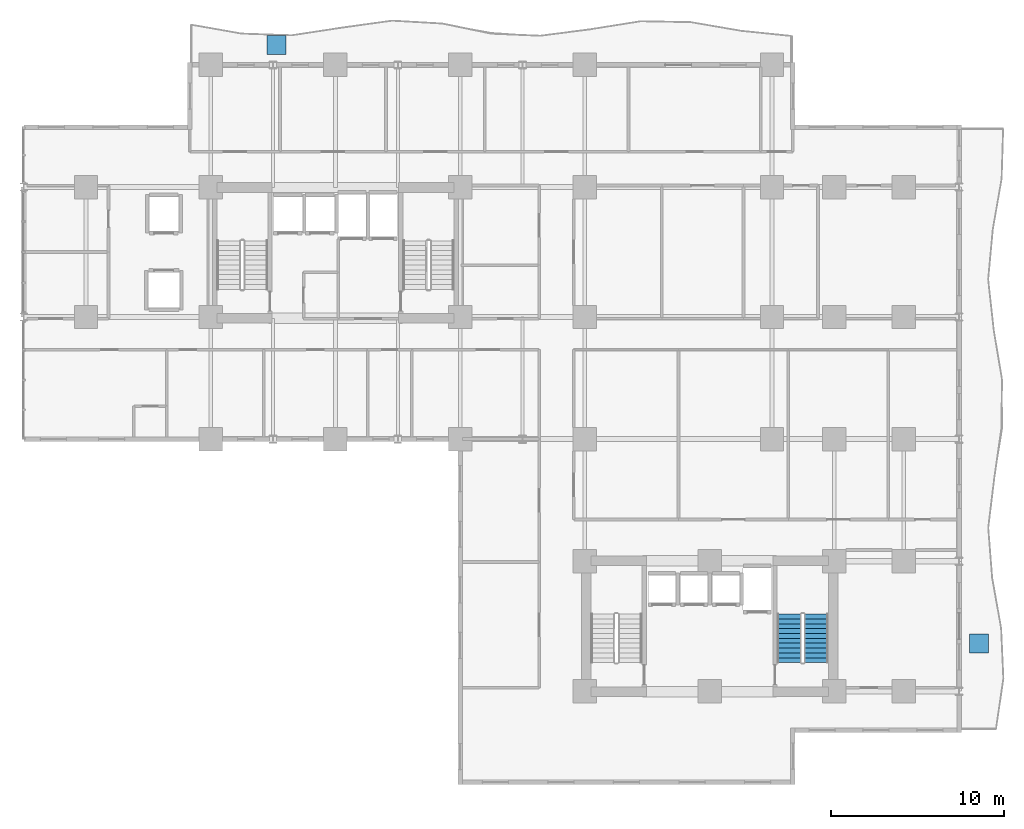
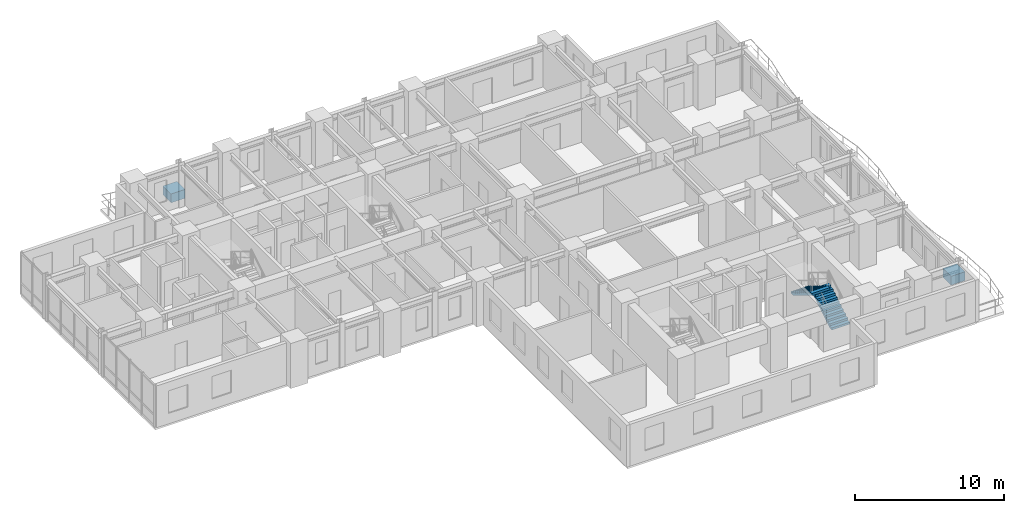
# One storey, part 14 of 17: 2 discrete accessories, 2 stair flights, 1 element without a shape of its own.
"""IFC4 building model written with IfcOpenShell, lengths in metres."""

from ifc_helpers import new_model, si_unit, direction, frame, origin, origin_2d, place, context, subcontext, project, spatial, polyline, rectangle, outline, extrude, source, transform, mapped, material, type_object, element, aggregate, save


model = new_model("IFC4")

# Units and contexts
model_context = context("Model", 3, precision=1e-05, world=origin(), true_north=direction((0.0, 1.0)))
body_context = subcontext(model_context, "Body", "Model", "MODEL_VIEW")
ifc_project = project(units=[si_unit("LENGTHUNIT", "METRE"), si_unit("AREAUNIT", "SQUARE_METRE"), si_unit("VOLUMEUNIT", "CUBIC_METRE"), si_unit("PLANEANGLEUNIT", "RADIAN"), si_unit("MASSUNIT", "GRAM", prefix="KILO")], contexts=[model_context])

# Site, building, storey
site_placement = place(None, origin())
site = spatial("IfcSite", under=ifc_project, at=site_placement, CompositionType="ELEMENT")
building_placement = place(site_placement, origin())
building = spatial("IfcBuilding", under=site, at=building_placement, Name="Kaliganga Portal Commons", CompositionType="ELEMENT")
storey_placement = place(building_placement, frame((0.0, 0.0, 62.300048828125)))
storey = spatial("IfcBuildingStorey", under=building, at=storey_placement, Name="L15", CompositionType="ELEMENT", Elevation=62.300048828125)

# Stair, stair flights
ifc_material_1 = material(Name="Concrete C40/50", Category="concrete")
stair_type = type_object("IfcStairType", Name="ST-CORE-DOGLEG", PredefinedType="HALF_TURN_STAIR", material=ifc_material_1)
stair_placement = place(storey_placement, origin())
stair = element("IfcStair", 1, at=stair_placement, inside=storey, type_object=stair_type, Name="L15 Protected Exit Stair ST-B2", PredefinedType="HALF_TURN_STAIR")
stair_flight_type = type_object("IfcStairFlightType", Name="STF-RC-1400", PredefinedType="STRAIGHT", material=ifc_material_1)
stair_flight_1_placement = place(storey_placement, frame((49.35009765625, 8.699951171875, 0.0), z_axis=(0.0, 0.0, 1.0), x_axis=(0.0, 1.0, 0.0)))
stair_flight_1 = element("IfcStairFlight", 2, at=stair_flight_1_placement, type_object=stair_flight_type, Name="ST-B2 flight 1", NumberOfRisers=11, NumberOfTreads=10, PredefinedType="STRAIGHT", RiserHeight=0.168181818, TreadLength=0.28, context=body_context, shape_type="SweptSolid", body=[
    extrude(outline(polyline([(0.0, 0.0), (0.0, 0.168212890625), (0.280029296875, 0.168212890625), (0.280029296875, 0.33642578125), (0.56005859375, 0.33642578125), (0.56005859375, 0.504638671875), (0.840087890625, 0.504638671875), (0.840087890625, 0.672607421875), (1.1201171875, 0.672607421875), (1.1201171875, 0.8408203125), (1.39990234375, 0.8408203125), (1.39990234375, 1.009033203125), (1.679931640625, 1.009033203125), (1.679931640625, 1.17724609375), (1.9599609375, 1.17724609375), (1.9599609375, 1.345458984375), (2.239990234375, 1.345458984375), (2.239990234375, 1.513671875), (2.52001953125, 1.513671875), (2.52001953125, 1.681884765625), (2.800048828125, 1.681884765625), (2.800048828125, 1.85009765625), (2.800048828125, 1.5068359375), (0.291015625, 0.0), (0.0, 0.0)])), frame((0.0, 0.699951171875, 0.0), z_axis=(0.0, -1.0, 0.0), x_axis=(1.0, 0.0, 0.0)), (0.0, 0.0, 1.0), 1.39990234375),
])
stair_flight_2_placement = place(storey_placement, frame((47.800048828125, 11.5, 1.849853515625), z_axis=(0.0, 0.0, 1.0), x_axis=(0.0, -1.0, 0.0)))
stair_flight_2 = element("IfcStairFlight", 3, at=stair_flight_2_placement, type_object=stair_flight_type, Name="ST-B2 flight 2", NumberOfRisers=11, NumberOfTreads=10, PredefinedType="STRAIGHT", RiserHeight=0.168181818, TreadLength=0.28, context=body_context, shape_type="SweptSolid", body=[
    extrude(outline(polyline([(0.0, 0.0), (0.0, 0.168212890625), (0.280029296875, 0.168212890625), (0.280029296875, 0.33642578125), (0.56005859375, 0.33642578125), (0.56005859375, 0.504638671875), (0.840087890625, 0.504638671875), (0.840087890625, 0.672607421875), (1.1201171875, 0.672607421875), (1.1201171875, 0.8408203125), (1.39990234375, 0.8408203125), (1.39990234375, 1.009033203125), (1.679931640625, 1.009033203125), (1.679931640625, 1.17724609375), (1.9599609375, 1.17724609375), (1.9599609375, 1.345458984375), (2.239990234375, 1.345458984375), (2.239990234375, 1.513671875), (2.52001953125, 1.513671875), (2.52001953125, 1.681884765625), (2.800048828125, 1.681884765625), (2.800048828125, 1.85009765625), (2.800048828125, 1.5068359375), (0.291015625, 0.0), (0.0, 0.0)])), frame((0.0, 0.699951171875, 0.0), z_axis=(0.0, -1.0, 0.0), x_axis=(1.0, 0.0, 0.0)), (0.0, 0.0, 1.0), 1.39990234375),
])
aggregate(stair, [stair_flight_1, stair_flight_2])

# Discrete accessories
ifc_material_2 = material(Name="Precast concrete C40/50", Category="concrete")
discrete_accessory_type = type_object("IfcDiscreteAccessoryType", Name="DAC-PLANTER-RC", PredefinedType="USERDEFINED", material=ifc_material_2)
shared_shape = source(origin(), body_context, "Body", "SweptSolid", [
    extrude(rectangle(XDim=1.10009765625, YDim=1.10009765625, at=origin_2d()), origin(), (0.0, 0.0, 1.0), 0.719970703125),
])
for number, where, z_axis, x_axis, name in (
    (4, (18.199951171875, 44.35009765625, 0.0), (0.0, 0.0, 1.0), (1.0, 0.0, 0.0), "Structural Tree Planter L15 balc_north"),
    (5, (58.75, 9.800048828125, 0.0), (0.0, 0.0, 1.0), (1.0, 0.0, 0.0), "Structural Tree Planter L15 balc_east"),
):
    element("IfcDiscreteAccessory", number, at=place(storey_placement, frame(where, z_axis=z_axis, x_axis=x_axis)), inside=storey, type_object=discrete_accessory_type, Name=name, ObjectType="PLANTER", PredefinedType="USERDEFINED", context=body_context, shape_type="MappedRepresentation", body=[
        mapped(shared_shape, transform((0.0, 0.0, 0.0), x_axis=(1.0, 0.0, 0.0), y_axis=(0.0, 1.0, 0.0), z_axis=(0.0, 0.0, 1.0), scale=1.0)),
    ])

save(model, "model.ifc")
